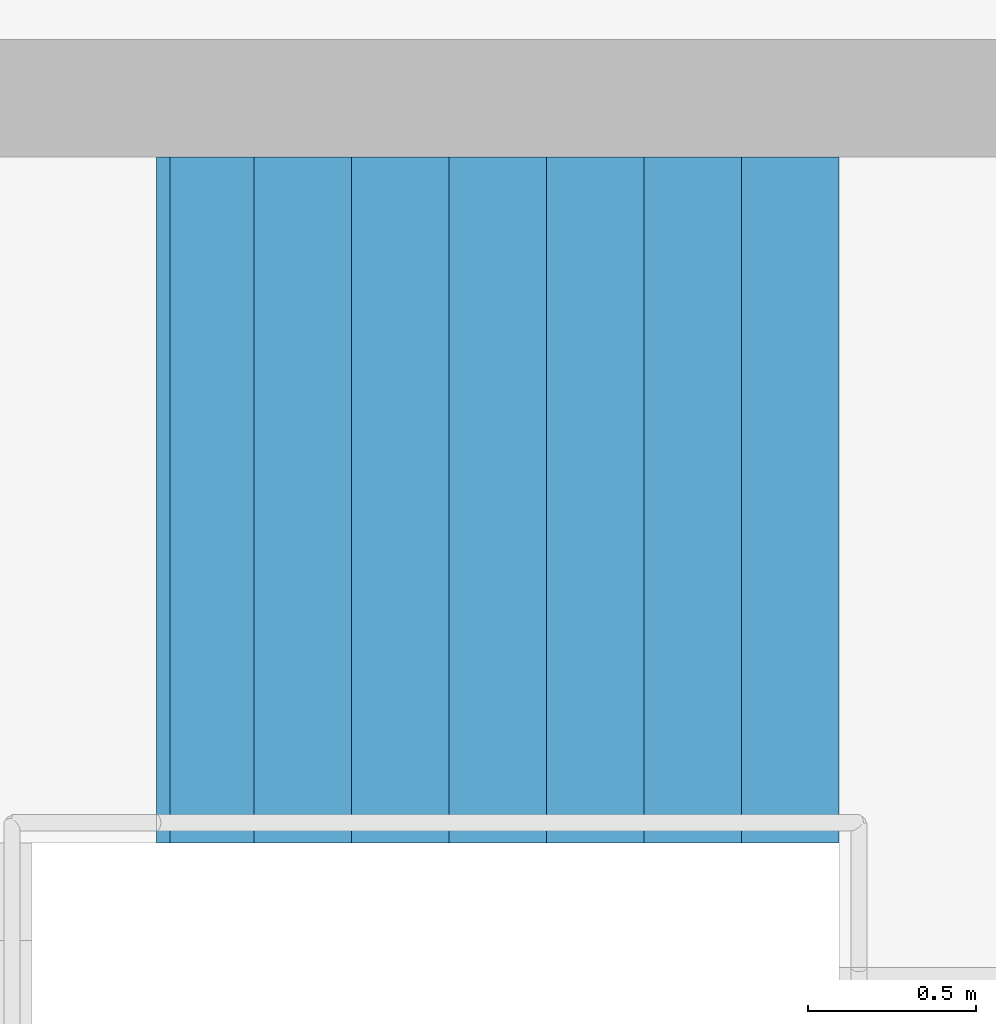
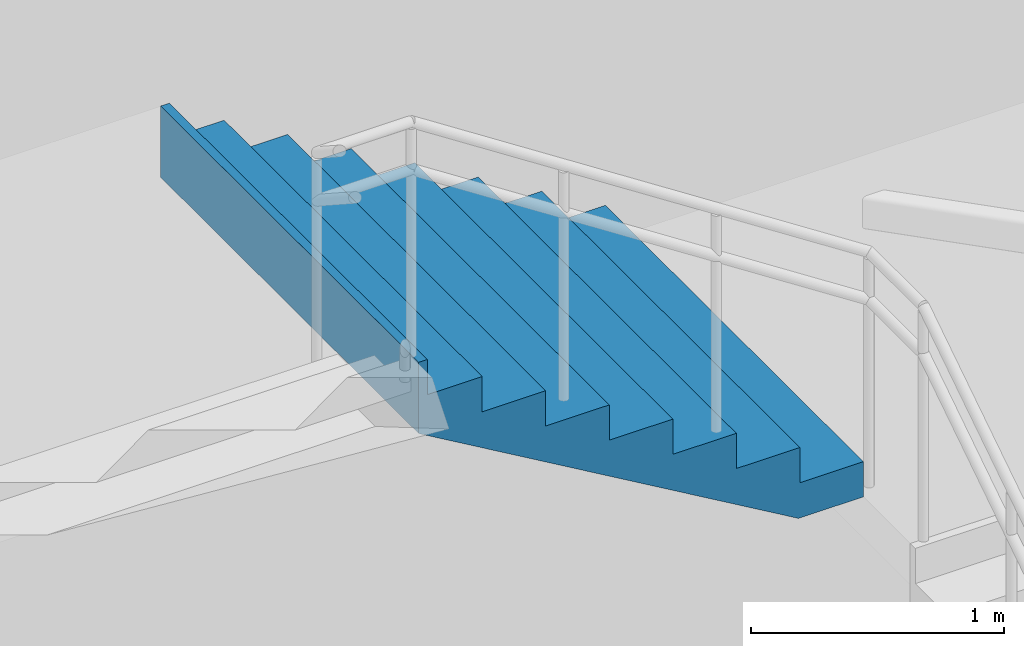
# One storey, part 64 of 72: 1 stair flight, 1 element without a shape of its own.
"""IFC4 building model written with IfcOpenShell, lengths in metres."""

from ifc_helpers import new_model, si_unit, direction, frame, origin, place, context, subcontext, project, spatial, triangles, material, type_object, element, aggregate, save


model = new_model("IFC4")

# Units and contexts
model_context = context("Model", 3, precision=1e-05, world=origin(), true_north=direction((0.0, 1.0)))
body_context = subcontext(model_context, "Body", "Model", "MODEL_VIEW")
ifc_project = project(units=[si_unit("LENGTHUNIT", "METRE"), si_unit("AREAUNIT", "SQUARE_METRE"), si_unit("VOLUMEUNIT", "CUBIC_METRE"), si_unit("PLANEANGLEUNIT", "RADIAN"), si_unit("MASSUNIT", "GRAM", prefix="KILO")], contexts=[model_context])

# Site, building, storey
site_placement = place(None, origin())
site = spatial("IfcSite", under=ifc_project, at=site_placement, CompositionType="ELEMENT")
building_placement = place(site_placement, origin())
building = spatial("IfcBuilding", under=site, at=building_placement, Name="Sillaruma Civic Art Gallery", CompositionType="ELEMENT")
storey_placement = place(building_placement, frame((0.0, 0.0, 10.8798828125)))
storey = spatial("IfcBuildingStorey", under=building, at=storey_placement, Name="L02", CompositionType="ELEMENT", Elevation=10.8798828125)

# Stair, stair flight
ifc_material = material(Name="Concrete H35 (35 MPa)", Category="concrete")
stair_type = type_object("IfcStairType", Name="STR-4F-32", PredefinedType="USERDEFINED", material=ifc_material)
stair_placement = place(storey_placement, origin())
stair = element("IfcStair", 1, at=stair_placement, inside=storey, type_object=stair_type, Name="Protected Exit Stair ST-02 (West Bar North) (L02)", ObjectType="THREE_RETURN_STAIR", PredefinedType="USERDEFINED")
stair_flight_type = type_object("IfcStairFlightType", Name="SFL-STR-8", PredefinedType="STRAIGHT", material=ifc_material)
stair_flight_placement = place(storey_placement, frame((67.199951171875, 86.3701171875, 2.72021484375), z_axis=(0.0, 0.0, 1.0), x_axis=(-1.0, 0.0, 0.0)))
stair_flight = element("IfcStairFlight", 2, at=stair_flight_placement, type_object=stair_flight_type, Name="ST-02 flight 3", NumberOfRisers=8, NumberOfTreads=7, PredefinedType="STRAIGHT", RiserHeight=0.17, TreadLength=0.29, context=body_context, shape_type="Tessellation", body=[
    triangles([(0.0, -1.02001953125, 0.0), (0.29, -1.02001953125, 0.0), (0.296443, -1.02001953125, 0.0), (0.58, -1.02001953125, 0.166223), (0.87, -1.02001953125, 0.336223), (1.16, -1.02001953125, 0.506223), (1.45, -1.02001953125, 0.676223), (1.74, -1.02001953125, 0.846223), (1.990029, -1.02001953125, 0.992792), (2.030029, -1.02001953125, 1.01624), (2.030029, -1.02001953125, 1.36), (1.990029, -1.02001953125, 1.36), (1.990029, -1.02001953125, 1.19), (1.74, -1.02001953125, 1.19), (1.74, -1.02001953125, 1.02), (1.45, -1.02001953125, 1.02), (1.45, -1.02001953125, 0.85), (1.16, -1.02001953125, 0.85), (1.16, -1.02001953125, 0.68), (0.87, -1.02001953125, 0.68), (0.87, -1.02001953125, 0.51), (0.58, -1.02001953125, 0.51), (0.58, -1.02001953125, 0.34), (0.296443, -1.02001953125, 0.34), (0.29, -1.02001953125, 0.34), (0.29, -1.02001953125, 0.17), (0.0, -1.02001953125, 0.17), (0.0, -0.05, 0.0), (0.29, -0.05, 0.0), (0.296443, -0.05, 0.0), (0.58, -0.05, 0.166223), (0.87, -0.05, 0.336223), (1.16, -0.05, 0.506223), (1.45, -0.05, 0.676223), (1.74, -0.05, 0.846223), (1.990029, -0.05, 0.992792), (2.030029, -0.05, 1.01624), (2.030029, -0.05, 1.36), (1.990029, -0.05, 1.36), (1.990029, -0.05, 1.19), (1.74, -0.05, 1.19), (1.74, -0.05, 1.02), (1.45, -0.05, 1.02), (1.45, -0.05, 0.85), (1.16, -0.05, 0.85), (1.16, -0.05, 0.68), (0.87, -0.05, 0.68), (0.87, -0.05, 0.51), (0.58, -0.05, 0.51), (0.58, -0.05, 0.34), (0.296443, -0.05, 0.34), (0.29, -0.05, 0.34), (0.29, -0.05, 0.17), (0.0, -0.05, 0.17), (0.0, -0.0375, 0.0), (0.29, -0.0375, 0.0), (0.296443, -0.0375, 0.0), (0.58, -0.0375, 0.166223), (0.87, -0.0375, 0.336223), (1.16, -0.0375, 0.506223), (1.45, -0.0375, 0.676223), (1.74, -0.0375, 0.846223), (1.990029, -0.0375, 0.992792), (2.030029, -0.0375, 1.01624), (2.030029, -0.0375, 1.36), (1.990029, -0.0375, 1.36), (1.990029, -0.0375, 1.19), (1.74, -0.0375, 1.19), (1.74, -0.0375, 1.02), (1.45, -0.0375, 1.02), (1.45, -0.0375, 0.85), (1.16, -0.0375, 0.85), (1.16, -0.0375, 0.68), (0.87, -0.0375, 0.68), (0.87, -0.0375, 0.51), (0.58, -0.0375, 0.51), (0.58, -0.0375, 0.34), (0.296443, -0.0375, 0.34), (0.29, -0.0375, 0.34), (0.29, -0.0375, 0.17), (0.0, -0.0375, 0.17), (0.0, -0.025, 0.0), (0.29, -0.025, 0.0), (0.296443, -0.025, 0.0), (0.58, -0.025, 0.166223), (0.87, -0.025, 0.336223), (1.16, -0.025, 0.506223), (1.45, -0.025, 0.676223), (1.74, -0.025, 0.846223), (1.990029, -0.025, 0.992792), (2.030029, -0.025, 1.01624), (2.030029, -0.025, 1.36), (1.990029, -0.025, 1.36), (1.990029, -0.025, 1.19), (1.74, -0.025, 1.19), (1.74, -0.025, 1.02), (1.45, -0.025, 1.02), (1.45, -0.025, 0.85), (1.16, -0.025, 0.85), (1.16, -0.025, 0.68), (0.87, -0.025, 0.68), (0.87, -0.025, 0.51), (0.58, -0.025, 0.51), (0.58, -0.025, 0.34), (0.296443, -0.025, 0.34), (0.29, -0.025, 0.34), (0.29, -0.025, 0.17), (0.0, -0.025, 0.17), (0.0, -0.0125, 0.0), (0.29, -0.0125, 0.0), (0.296443, -0.0125, 0.0), (0.58, -0.0125, 0.166223), (0.87, -0.0125, 0.336223), (1.16, -0.0125, 0.506223), (1.45, -0.0125, 0.676223), (1.74, -0.0125, 0.846223), (1.990029, -0.0125, 0.992792), (2.030029, -0.0125, 1.01624), (2.030029, -0.0125, 1.36), (1.990029, -0.0125, 1.36), (1.990029, -0.0125, 1.19), (1.74, -0.0125, 1.19), (1.74, -0.0125, 1.02), (1.45, -0.0125, 1.02), (1.45, -0.0125, 0.85), (1.16, -0.0125, 0.85), (1.16, -0.0125, 0.68), (0.87, -0.0125, 0.68), (0.87, -0.0125, 0.51), (0.58, -0.0125, 0.51), (0.58, -0.0125, 0.34), (0.296443, -0.0125, 0.34), (0.29, -0.0125, 0.34), (0.29, -0.0125, 0.17), (0.0, -0.0125, 0.17), (0.0, 0.0, 0.0), (0.29, 0.0, 0.0), (0.296443, 0.0, 0.0), (0.58, 0.0, 0.166223), (0.87, 0.0, 0.336223), (1.16, 0.0, 0.506223), (1.45, 0.0, 0.676223), (1.74, 0.0, 0.846223), (1.990029, 0.0, 0.992792), (2.030029, 0.0, 1.01624), (2.030029, 0.0, 1.36), (1.990029, 0.0, 1.36), (1.990029, 0.0, 1.19), (1.74, 0.0, 1.19), (1.74, 0.0, 1.02), (1.45, 0.0, 1.02), (1.45, 0.0, 0.85), (1.16, 0.0, 0.85), (1.16, 0.0, 0.68), (0.87, 0.0, 0.68), (0.87, 0.0, 0.51), (0.58, 0.0, 0.51), (0.58, 0.0, 0.34), (0.296443, 0.0, 0.34), (0.29, 0.0, 0.34), (0.29, 0.0, 0.17), (0.0, 0.0, 0.17), (0.0, 0.0125, 0.0), (0.29, 0.0125, 0.0), (0.296443, 0.0125, 0.0), (0.58, 0.0125, 0.166223), (0.87, 0.0125, 0.336223), (1.16, 0.0125, 0.506223), (1.45, 0.0125, 0.676223), (1.74, 0.0125, 0.846223), (1.990029, 0.0125, 0.992792), (2.030029, 0.0125, 1.01624), (2.030029, 0.0125, 1.36), (1.990029, 0.0125, 1.36), (1.990029, 0.0125, 1.19), (1.74, 0.0125, 1.19), (1.74, 0.0125, 1.02), (1.45, 0.0125, 1.02), (1.45, 0.0125, 0.85), (1.16, 0.0125, 0.85), (1.16, 0.0125, 0.68), (0.87, 0.0125, 0.68), (0.87, 0.0125, 0.51), (0.58, 0.0125, 0.51), (0.58, 0.0125, 0.34), (0.296443, 0.0125, 0.34), (0.29, 0.0125, 0.34), (0.29, 0.0125, 0.17), (0.0, 0.0125, 0.17), (0.0, 0.025, 0.0), (0.29, 0.025, 0.0), (0.296443, 0.025, 0.0), (0.58, 0.025, 0.166223), (0.87, 0.025, 0.336223), (1.16, 0.025, 0.506223), (1.45, 0.025, 0.676223), (1.74, 0.025, 0.846223), (1.990029, 0.025, 0.992792), (2.030029, 0.025, 1.01624), (2.030029, 0.025, 1.36), (1.990029, 0.025, 1.36), (1.990029, 0.025, 1.19), (1.74, 0.025, 1.19), (1.74, 0.025, 1.02), (1.45, 0.025, 1.02), (1.45, 0.025, 0.85), (1.16, 0.025, 0.85), (1.16, 0.025, 0.68), (0.87, 0.025, 0.68), (0.87, 0.025, 0.51), (0.58, 0.025, 0.51), (0.58, 0.025, 0.34), (0.296443, 0.025, 0.34), (0.29, 0.025, 0.34), (0.29, 0.025, 0.17), (0.0, 0.025, 0.17), (0.0, 0.0375, 0.0), (0.29, 0.0375, 0.0), (0.296443, 0.0375, 0.0), (0.58, 0.0375, 0.166223), (0.87, 0.0375, 0.336223), (1.16, 0.0375, 0.506223), (1.45, 0.0375, 0.676223), (1.74, 0.0375, 0.846223), (1.990029, 0.0375, 0.992792), (2.030029, 0.0375, 1.01624), (2.030029, 0.0375, 1.36), (1.990029, 0.0375, 1.36), (1.990029, 0.0375, 1.19), (1.74, 0.0375, 1.19), (1.74, 0.0375, 1.02), (1.45, 0.0375, 1.02), (1.45, 0.0375, 0.85), (1.16, 0.0375, 0.85), (1.16, 0.0375, 0.68), (0.87, 0.0375, 0.68), (0.87, 0.0375, 0.51), (0.58, 0.0375, 0.51), (0.58, 0.0375, 0.34), (0.296443, 0.0375, 0.34), (0.29, 0.0375, 0.34), (0.29, 0.0375, 0.17), (0.0, 0.0375, 0.17), (0.0, 0.05, 0.0), (0.29, 0.05, 0.0), (0.296443, 0.05, 0.0), (0.58, 0.05, 0.166223), (0.87, 0.05, 0.336223), (1.16, 0.05, 0.506223), (1.45, 0.05, 0.676223), (1.74, 0.05, 0.846223), (1.990029, 0.05, 0.992792), (2.030029, 0.05, 1.01624), (2.030029, 0.05, 1.36), (1.990029, 0.05, 1.36), (1.990029, 0.05, 1.19), (1.74, 0.05, 1.19), (1.74, 0.05, 1.02), (1.45, 0.05, 1.02), (1.45, 0.05, 0.85), (1.16, 0.05, 0.85), (1.16, 0.05, 0.68), (0.87, 0.05, 0.68), (0.87, 0.05, 0.51), (0.58, 0.05, 0.51), (0.58, 0.05, 0.34), (0.296443, 0.05, 0.34), (0.29, 0.05, 0.34), (0.29, 0.05, 0.17), (0.0, 0.05, 0.17), (0.0, 1.02001953125, 0.0), (0.29, 1.02001953125, 0.0), (0.296443, 1.02001953125, 0.0), (0.58, 1.02001953125, 0.166223), (0.87, 1.02001953125, 0.336223), (1.16, 1.02001953125, 0.506223), (1.45, 1.02001953125, 0.676223), (1.74, 1.02001953125, 0.846223), (1.990029, 1.02001953125, 0.992792), (2.030029, 1.02001953125, 1.01624), (2.030029, 1.02001953125, 1.36), (1.990029, 1.02001953125, 1.36), (1.990029, 1.02001953125, 1.19), (1.74, 1.02001953125, 1.19), (1.74, 1.02001953125, 1.02), (1.45, 1.02001953125, 1.02), (1.45, 1.02001953125, 0.85), (1.16, 1.02001953125, 0.85), (1.16, 1.02001953125, 0.68), (0.87, 1.02001953125, 0.68), (0.87, 1.02001953125, 0.51), (0.58, 1.02001953125, 0.51), (0.58, 1.02001953125, 0.34), (0.296443, 1.02001953125, 0.34), (0.29, 1.02001953125, 0.34), (0.29, 1.02001953125, 0.17), (0.0, 1.02001953125, 0.17)], [[1, 2, 26], [1, 26, 27], [2, 3, 24], [2, 24, 26], [26, 24, 25], [3, 4, 23], [3, 23, 24], [4, 5, 21], [4, 21, 23], [23, 21, 22], [5, 6, 19], [5, 19, 21], [21, 19, 20], [6, 7, 17], [6, 17, 19], [19, 17, 18], [7, 8, 15], [7, 15, 17], [17, 15, 16], [8, 9, 13], [8, 13, 15], [15, 13, 14], [9, 10, 11], [9, 11, 13], [13, 11, 12], [296, 272, 271], [297, 296, 271], [294, 273, 272], [296, 294, 272], [295, 294, 296], [293, 274, 273], [294, 293, 273], [291, 275, 274], [293, 291, 274], [292, 291, 293], [289, 276, 275], [291, 289, 275], [290, 289, 291], [287, 277, 276], [289, 287, 276], [288, 287, 289], [285, 278, 277], [287, 285, 277], [286, 285, 287], [283, 279, 278], [285, 283, 278], [284, 283, 285], [281, 280, 279], [283, 281, 279], [282, 281, 283], [2, 1, 28], [2, 28, 29], [3, 2, 29], [3, 29, 30], [4, 3, 30], [4, 30, 31], [5, 4, 31], [5, 31, 32], [6, 5, 32], [6, 32, 33], [7, 6, 33], [7, 33, 34], [8, 7, 34], [8, 34, 35], [9, 8, 35], [9, 35, 36], [10, 9, 36], [10, 36, 37], [11, 10, 37], [11, 37, 38], [12, 11, 38], [12, 38, 39], [13, 12, 39], [13, 39, 40], [14, 13, 40], [14, 40, 41], [15, 14, 41], [15, 41, 42], [16, 15, 42], [16, 42, 43], [17, 16, 43], [17, 43, 44], [18, 17, 44], [18, 44, 45], [19, 18, 45], [19, 45, 46], [20, 19, 46], [20, 46, 47], [21, 20, 47], [21, 47, 48], [22, 21, 48], [22, 48, 49], [23, 22, 49], [23, 49, 50], [24, 23, 50], [24, 50, 51], [25, 24, 51], [25, 51, 52], [26, 25, 52], [26, 52, 53], [27, 26, 53], [27, 53, 54], [1, 27, 54], [1, 54, 28], [29, 28, 55], [29, 55, 56], [30, 29, 56], [30, 56, 57], [31, 30, 57], [31, 57, 58], [32, 31, 58], [32, 58, 59], [33, 32, 59], [33, 59, 60], [34, 33, 60], [34, 60, 61], [35, 34, 61], [35, 61, 62], [36, 35, 62], [36, 62, 63], [37, 36, 63], [37, 63, 64], [38, 37, 64], [38, 64, 65], [39, 38, 65], [39, 65, 66], [40, 39, 66], [40, 66, 67], [41, 40, 67], [41, 67, 68], [42, 41, 68], [42, 68, 69], [43, 42, 69], [43, 69, 70], [44, 43, 70], [44, 70, 71], [45, 44, 71], [45, 71, 72], [46, 45, 72], [46, 72, 73], [47, 46, 73], [47, 73, 74], [48, 47, 74], [48, 74, 75], [49, 48, 75], [49, 75, 76], [50, 49, 76], [50, 76, 77], [51, 50, 77], [51, 77, 78], [52, 51, 78], [52, 78, 79], [53, 52, 79], [53, 79, 80], [54, 53, 80], [54, 80, 81], [28, 54, 81], [28, 81, 55], [56, 55, 82], [56, 82, 83], [57, 56, 83], [57, 83, 84], [58, 57, 84], [58, 84, 85], [59, 58, 85], [59, 85, 86], [60, 59, 86], [60, 86, 87], [61, 60, 87], [61, 87, 88], [62, 61, 88], [62, 88, 89], [63, 62, 89], [63, 89, 90], [64, 63, 90], [64, 90, 91], [65, 64, 91], [65, 91, 92], [66, 65, 92], [66, 92, 93], [67, 66, 93], [67, 93, 94], [68, 67, 94], [68, 94, 95], [69, 68, 95], [69, 95, 96], [70, 69, 96], [70, 96, 97], [71, 70, 97], [71, 97, 98], [72, 71, 98], [72, 98, 99], [73, 72, 99], [73, 99, 100], [74, 73, 100], [74, 100, 101], [75, 74, 101], [75, 101, 102], [76, 75, 102], [76, 102, 103], [77, 76, 103], [77, 103, 104], [78, 77, 104], [78, 104, 105], [79, 78, 105], [79, 105, 106], [80, 79, 106], [80, 106, 107], [81, 80, 107], [81, 107, 108], [55, 81, 108], [55, 108, 82], [83, 82, 109], [83, 109, 110], [84, 83, 110], [84, 110, 111], [85, 84, 111], [85, 111, 112], [86, 85, 112], [86, 112, 113], [87, 86, 113], [87, 113, 114], [88, 87, 114], [88, 114, 115], [89, 88, 115], [89, 115, 116], [90, 89, 116], [90, 116, 117], [91, 90, 117], [91, 117, 118], [92, 91, 118], [92, 118, 119], [93, 92, 119], [93, 119, 120], [94, 93, 120], [94, 120, 121], [95, 94, 121], [95, 121, 122], [96, 95, 122], [96, 122, 123], [97, 96, 123], [97, 123, 124], [98, 97, 124], [98, 124, 125], [99, 98, 125], [99, 125, 126], [100, 99, 126], [100, 126, 127], [101, 100, 127], [101, 127, 128], [102, 101, 128], [102, 128, 129], [103, 102, 129], [103, 129, 130], [104, 103, 130], [104, 130, 131], [105, 104, 131], [105, 131, 132], [106, 105, 132], [106, 132, 133], [107, 106, 133], [107, 133, 134], [108, 107, 134], [108, 134, 135], [82, 108, 135], [82, 135, 109], [110, 109, 136], [110, 136, 137], [111, 110, 137], [111, 137, 138], [112, 111, 138], [112, 138, 139], [113, 112, 139], [113, 139, 140], [114, 113, 140], [114, 140, 141], [115, 114, 141], [115, 141, 142], [116, 115, 142], [116, 142, 143], [117, 116, 143], [117, 143, 144], [118, 117, 144], [118, 144, 145], [119, 118, 145], [119, 145, 146], [120, 119, 146], [120, 146, 147], [121, 120, 147], [121, 147, 148], [122, 121, 148], [122, 148, 149], [123, 122, 149], [123, 149, 150], [124, 123, 150], [124, 150, 151], [125, 124, 151], [125, 151, 152], [126, 125, 152], [126, 152, 153], [127, 126, 153], [127, 153, 154], [128, 127, 154], [128, 154, 155], [129, 128, 155], [129, 155, 156], [130, 129, 156], [130, 156, 157], [131, 130, 157], [131, 157, 158], [132, 131, 158], [132, 158, 159], [133, 132, 159], [133, 159, 160], [134, 133, 160], [134, 160, 161], [135, 134, 161], [135, 161, 162], [109, 135, 162], [109, 162, 136], [137, 136, 163], [137, 163, 164], [138, 137, 164], [138, 164, 165], [139, 138, 165], [139, 165, 166], [140, 139, 166], [140, 166, 167], [141, 140, 167], [141, 167, 168], [142, 141, 168], [142, 168, 169], [143, 142, 169], [143, 169, 170], [144, 143, 170], [144, 170, 171], [145, 144, 171], [145, 171, 172], [146, 145, 172], [146, 172, 173], [147, 146, 173], [147, 173, 174], [148, 147, 174], [148, 174, 175], [149, 148, 175], [149, 175, 176], [150, 149, 176], [150, 176, 177], [151, 150, 177], [151, 177, 178], [152, 151, 178], [152, 178, 179], [153, 152, 179], [153, 179, 180], [154, 153, 180], [154, 180, 181], [155, 154, 181], [155, 181, 182], [156, 155, 182], [156, 182, 183], [157, 156, 183], [157, 183, 184], [158, 157, 184], [158, 184, 185], [159, 158, 185], [159, 185, 186], [160, 159, 186], [160, 186, 187], [161, 160, 187], [161, 187, 188], [162, 161, 188], [162, 188, 189], [136, 162, 189], [136, 189, 163], [164, 163, 190], [164, 190, 191], [165, 164, 191], [165, 191, 192], [166, 165, 192], [166, 192, 193], [167, 166, 193], [167, 193, 194], [168, 167, 194], [168, 194, 195], [169, 168, 195], [169, 195, 196], [170, 169, 196], [170, 196, 197], [171, 170, 197], [171, 197, 198], [172, 171, 198], [172, 198, 199], [173, 172, 199], [173, 199, 200], [174, 173, 200], [174, 200, 201], [175, 174, 201], [175, 201, 202], [176, 175, 202], [176, 202, 203], [177, 176, 203], [177, 203, 204], [178, 177, 204], [178, 204, 205], [179, 178, 205], [179, 205, 206], [180, 179, 206], [180, 206, 207], [181, 180, 207], [181, 207, 208], [182, 181, 208], [182, 208, 209], [183, 182, 209], [183, 209, 210], [184, 183, 210], [184, 210, 211], [185, 184, 211], [185, 211, 212], [186, 185, 212], [186, 212, 213], [187, 186, 213], [187, 213, 214], [188, 187, 214], [188, 214, 215], [189, 188, 215], [189, 215, 216], [163, 189, 216], [163, 216, 190], [191, 190, 217], [191, 217, 218], [192, 191, 218], [192, 218, 219], [193, 192, 219], [193, 219, 220], [194, 193, 220], [194, 220, 221], [195, 194, 221], [195, 221, 222], [196, 195, 222], [196, 222, 223], [197, 196, 223], [197, 223, 224], [198, 197, 224], [198, 224, 225], [199, 198, 225], [199, 225, 226], [200, 199, 226], [200, 226, 227], [201, 200, 227], [201, 227, 228], [202, 201, 228], [202, 228, 229], [203, 202, 229], [203, 229, 230], [204, 203, 230], [204, 230, 231], [205, 204, 231], [205, 231, 232], [206, 205, 232], [206, 232, 233], [207, 206, 233], [207, 233, 234], [208, 207, 234], [208, 234, 235], [209, 208, 235], [209, 235, 236], [210, 209, 236], [210, 236, 237], [211, 210, 237], [211, 237, 238], [212, 211, 238], [212, 238, 239], [213, 212, 239], [213, 239, 240], [214, 213, 240], [214, 240, 241], [215, 214, 241], [215, 241, 242], [216, 215, 242], [216, 242, 243], [190, 216, 243], [190, 243, 217], [218, 217, 244], [218, 244, 245], [219, 218, 245], [219, 245, 246], [220, 219, 246], [220, 246, 247], [221, 220, 247], [221, 247, 248], [222, 221, 248], [222, 248, 249], [223, 222, 249], [223, 249, 250], [224, 223, 250], [224, 250, 251], [225, 224, 251], [225, 251, 252], [226, 225, 252], [226, 252, 253], [227, 226, 253], [227, 253, 254], [228, 227, 254], [228, 254, 255], [229, 228, 255], [229, 255, 256], [230, 229, 256], [230, 256, 257], [231, 230, 257], [231, 257, 258], [232, 231, 258], [232, 258, 259], [233, 232, 259], [233, 259, 260], [234, 233, 260], [234, 260, 261], [235, 234, 261], [235, 261, 262], [236, 235, 262], [236, 262, 263], [237, 236, 263], [237, 263, 264], [238, 237, 264], [238, 264, 265], [239, 238, 265], [239, 265, 266], [240, 239, 266], [240, 266, 267], [241, 240, 267], [241, 267, 268], [242, 241, 268], [242, 268, 269], [243, 242, 269], [243, 269, 270], [217, 243, 270], [217, 270, 244], [245, 244, 271], [245, 271, 272], [246, 245, 272], [246, 272, 273], [247, 246, 273], [247, 273, 274], [248, 247, 274], [248, 274, 275], [249, 248, 275], [249, 275, 276], [250, 249, 276], [250, 276, 277], [251, 250, 277], [251, 277, 278], [252, 251, 278], [252, 278, 279], [253, 252, 279], [253, 279, 280], [254, 253, 280], [254, 280, 281], [255, 254, 281], [255, 281, 282], [256, 255, 282], [256, 282, 283], [257, 256, 283], [257, 283, 284], [258, 257, 284], [258, 284, 285], [259, 258, 285], [259, 285, 286], [260, 259, 286], [260, 286, 287], [261, 260, 287], [261, 287, 288], [262, 261, 288], [262, 288, 289], [263, 262, 289], [263, 289, 290], [264, 263, 290], [264, 290, 291], [265, 264, 291], [265, 291, 292], [266, 265, 292], [266, 292, 293], [267, 266, 293], [267, 293, 294], [268, 267, 294], [268, 294, 295], [269, 268, 295], [269, 295, 296], [270, 269, 296], [270, 296, 297], [244, 270, 297], [244, 297, 271]], closed=True),
])
aggregate(stair, [stair_flight])

save(model, "model.ifc")
